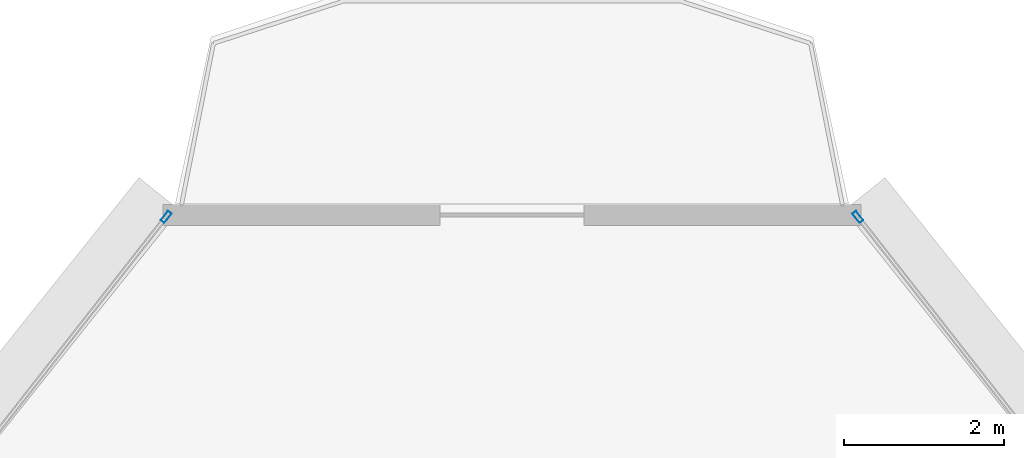
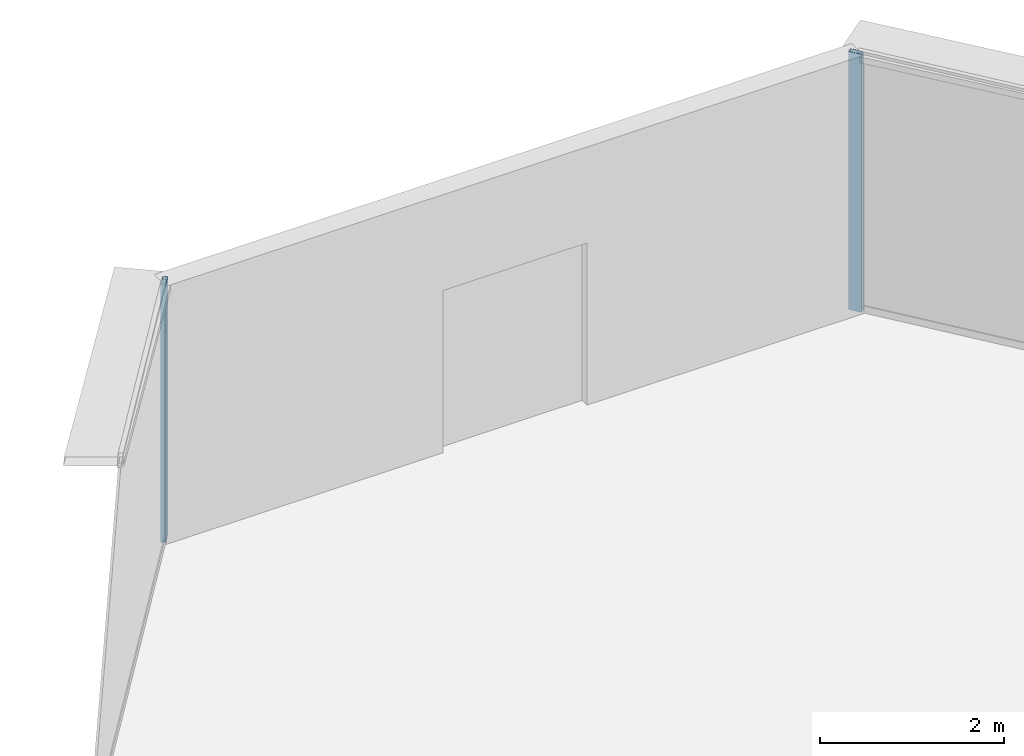
# One storey, part 29 of 41: 2 members, 2 elements without a shape of their own.
"""IFC4 building model written with IfcOpenShell, lengths in metres."""

from ifc_helpers import new_model, si_unit, direction, frame, origin, origin_2d, place, context, subcontext, project, spatial, hollow_rectangle, extrude, source, transform, mapped, material, layer, layer_set, material_profile, profile_set, type_object, element, aggregate, save


model = new_model("IFC4")

# Units and contexts
model_context = context("Model", 3, precision=1e-05, world=origin(), true_north=direction((0.0, 1.0)))
body_context = subcontext(model_context, "Body", "Model", "MODEL_VIEW")
ifc_project = project(units=[si_unit("LENGTHUNIT", "METRE"), si_unit("AREAUNIT", "SQUARE_METRE"), si_unit("VOLUMEUNIT", "CUBIC_METRE"), si_unit("PLANEANGLEUNIT", "RADIAN"), si_unit("MASSUNIT", "GRAM", prefix="KILO"), si_unit("THERMODYNAMICTEMPERATUREUNIT", "KELVIN"), si_unit("POWERUNIT", "WATT")], contexts=[model_context])

# Site, building, storey
site_placement = place(None, origin())
site = spatial("IfcSite", under=ifc_project, at=site_placement, CompositionType="ELEMENT")
building_placement = place(site_placement, origin())
building = spatial("IfcBuilding", under=site, at=building_placement, Name="Yunzhuo Pagoda Commons", CompositionType="ELEMENT")
storey_placement = place(building_placement, frame((0.0, 0.0, 155.590087890625)))
storey = spatial("IfcBuildingStorey", under=building, at=storey_placement, Name="L39", CompositionType="ELEMENT", Elevation=155.590087890625)

# Curtain wall, member
ifc_material = material(Name="Anodized aluminium 6063-T6", Category="aluminium")
ifc_layer = layer(ifc_material, 0.14990234375)
ifc_layer_set = layer_set([ifc_layer], Name="Anodized aluminium 6063-T6")
curtain_wall_type = type_object("IfcCurtainWallType", Name="CW-MID Mid-Zone Ribbon Curtain Wall", PredefinedType="NOTDEFINED", material=ifc_layer_set)
curtain_wall_1_placement = place(storey_placement, origin())
curtain_wall_1 = element("IfcCurtainWall", 1, at=curtain_wall_1_placement, inside=storey, type_object=curtain_wall_type, Name="L39 curtain wall CW-L39-F2B5", PredefinedType="NOTDEFINED")
ifc_material_profile = material_profile(ifc_material, hollow_rectangle(XDim=0.06005859375, YDim=0.14990234375, WallThickness=0.00390625, at=origin_2d()), Name="Anodized aluminium 6063-T6")
ifc_profile_set = profile_set([ifc_material_profile], Name="Anodized aluminium 6063-T6")
member_type = type_object("IfcMemberType", Name="CW-MID-M Mullion RHS 150x60x4", PredefinedType="MULLION", material=ifc_profile_set)
shared_shape = source(origin(), body_context, "Body", "SweptSolid", [
    extrude(hollow_rectangle(XDim=0.06005859375, YDim=0.14990234375, WallThickness=0.00390625, at=origin_2d()), origin(), (0.0, 0.0, 1.0), 3.419921875),
])
member_1_placement = place(storey_placement, frame((52.33447265625, 84.389404296875, 0.0), z_axis=(0.0, 0.0, 1.0), x_axis=(-0.786759259697, -0.61725996734, 0.0)))
member_1 = element("IfcMember", 2, at=member_1_placement, type_object=member_type, Name="CW mullion 2", PredefinedType="MULLION", context=body_context, shape_type="MappedRepresentation", body=[
    mapped(shared_shape, transform((0.0, 0.0, 0.0), scale=1.0)),
])
aggregate(curtain_wall_1, [member_1])

curtain_wall_2_placement = place(storey_placement, origin())
curtain_wall_2 = element("IfcCurtainWall", 3, at=curtain_wall_2_placement, inside=storey, type_object=curtain_wall_type, Name="L39 curtain wall CW-L39-F3B1", PredefinedType="NOTDEFINED")
member_2_placement = place(storey_placement, frame((43.666015625, 84.389404296875, 0.0), z_axis=(0.0, 0.0, 1.0), x_axis=(0.786759259697, -0.61725996734, 0.0)))
member_2 = element("IfcMember", 4, at=member_2_placement, type_object=member_type, Name="CW mullion 1", PredefinedType="MULLION", context=body_context, shape_type="MappedRepresentation", body=[
    mapped(shared_shape, transform((0.0, 0.0, 0.0), scale=1.0)),
])
aggregate(curtain_wall_2, [member_2])

save(model, "model.ifc")
